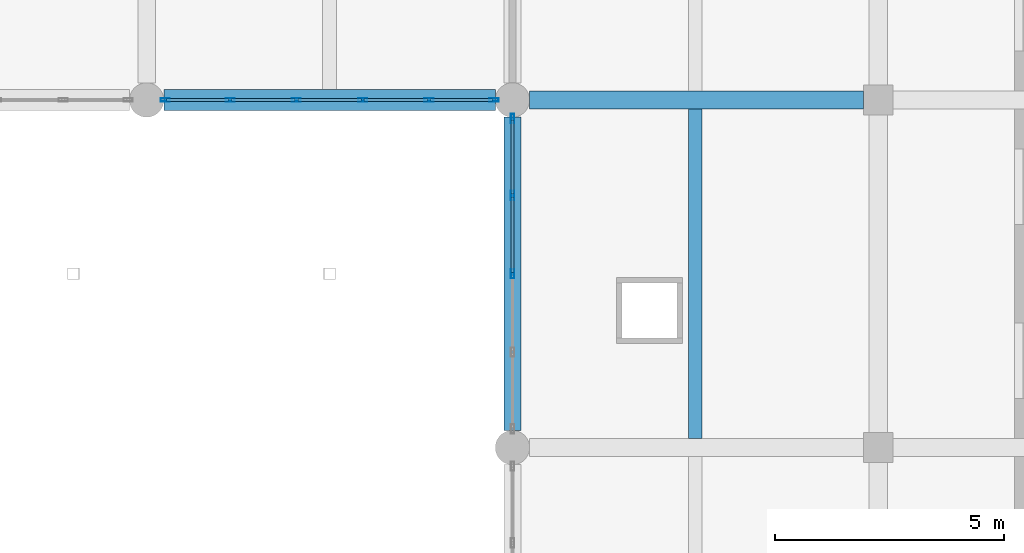
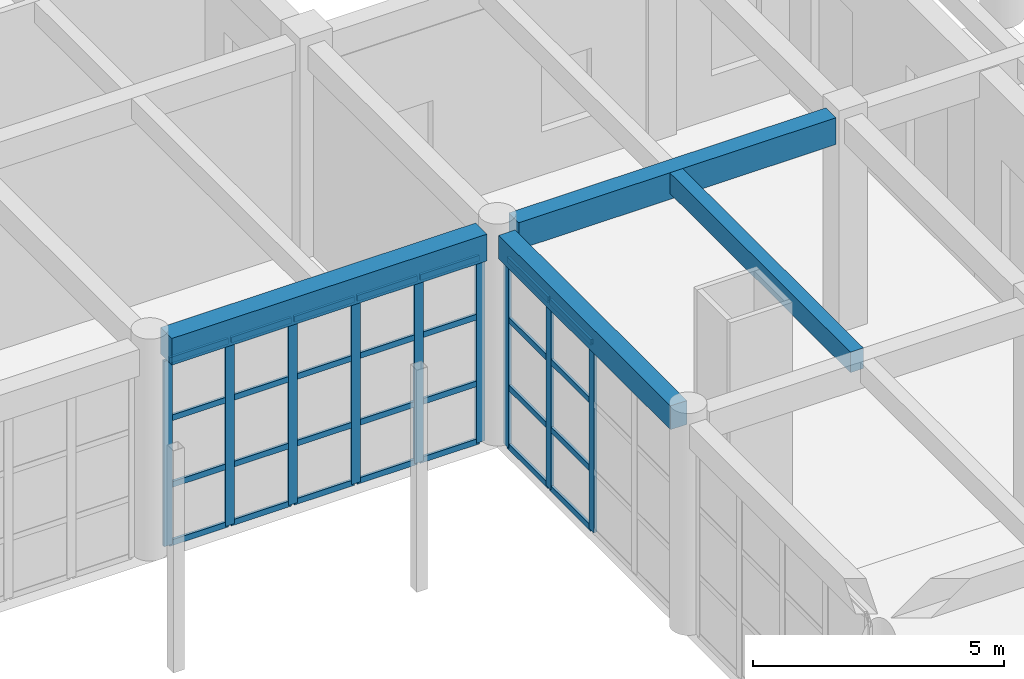
# One storey, part 56 of 95: 37 members, 4 beams, 2 elements without a shape of their own.
"""IFC4 building model written with IfcOpenShell, lengths in metres."""

from ifc_helpers import new_model, si_unit, direction, frame, origin, origin_2d, place, context, subcontext, project, spatial, rectangle, hollow_rectangle, extrude, material, material_profile, profile_set, type_object, element, aggregate, save


model = new_model("IFC4")

# Units and contexts
model_context = context("Model", 3, precision=1e-05, world=origin(), true_north=direction((0.0, 1.0)))
body_context = subcontext(model_context, "Body", "Model", "MODEL_VIEW")
ifc_project = project(units=[si_unit("LENGTHUNIT", "METRE"), si_unit("AREAUNIT", "SQUARE_METRE"), si_unit("VOLUMEUNIT", "CUBIC_METRE"), si_unit("PLANEANGLEUNIT", "RADIAN"), si_unit("MASSUNIT", "GRAM", prefix="KILO")], contexts=[model_context])

# Site, building, storey
site_placement = place(None, origin())
site = spatial("IfcSite", under=ifc_project, at=site_placement, CompositionType="ELEMENT")
building_placement = place(site_placement, origin())
building = spatial("IfcBuilding", under=site, at=building_placement, Name="Zantavel Square City Hall", CompositionType="ELEMENT")
storey_placement = place(building_placement, origin())
storey = spatial("IfcBuildingStorey", under=building, at=storey_placement, Name="L01", CompositionType="ELEMENT", Elevation=0.0)

# Beam
ifc_material_1 = material(Name="Concrete C35/45", Category="concrete")
ifc_material_profile_1 = material_profile(ifc_material_1, rectangle(XDim=0.3798828125, YDim=0.580078125, at=origin_2d()), Name="RC 380x580")
ifc_profile_set_1 = profile_set([ifc_material_profile_1], Name="Concrete C35/45")
beam_type_1 = type_object("IfcBeamType", Name="Annex Secondary Beam RC 380x580 C35/45", PredefinedType="BEAM", material=ifc_profile_set_1)
beam_1_placement = place(storey_placement, frame((152.0, 61.175048828125, 4.8701171875), z_axis=(0.0, 1.0, 0.0), x_axis=(-1.0, 0.0, 0.0)))
element("IfcBeam", 1, at=beam_1_placement, inside=storey, type_object=beam_type_1, Name="L01 Beam BMY-L01-1520-0608", PredefinedType="BEAM", context=body_context, shape_type="SweptSolid", body=[
    extrude(rectangle(XDim=0.3798828125, YDim=0.580078125, at=origin_2d()), origin(), (0.0, 0.0, 1.0), 6.849853515625),
])

# Curtain wall, members
ifc_material_2 = material(Name="Anodised aluminium 6063-T6", Category="aluminium")
curtain_wall_type_1 = type_object("IfcCurtainWallType", Name="Curtain Wall CRT 6850x4580", PredefinedType="USERDEFINED", material=ifc_material_2)
curtain_wall_1_placement = place(storey_placement, origin())
curtain_wall_1 = element("IfcCurtainWall", 2, at=curtain_wall_1_placement, inside=storey, type_object=curtain_wall_type_1, Name="L01 Glazed Curtain Wall CW-L01-034", ObjectType="GLAZED CURTAIN WALL", PredefinedType="USERDEFINED")
ifc_material_profile_2 = material_profile(ifc_material_2, hollow_rectangle(XDim=0.070068359375, YDim=0.199951171875, WallThickness=0.00439453125, at=origin_2d()), Name="ALU 70x200x4.5")
ifc_profile_set_2 = profile_set([ifc_material_profile_2], Name="Anodised aluminium 6063-T6")
member_type_1 = type_object("IfcMemberType", Name="CW Heavy Hall Mullion ALU 70x200x4.5", PredefinedType="MULLION", material=ifc_profile_set_2)
member_1_placement = place(storey_placement, frame((152.0, 64.60009765625, 0.0), z_axis=(0.0, 0.0, 1.0), x_axis=(-1.0, 0.0, 0.0)))
member_1 = element("IfcMember", 3, at=member_1_placement, type_object=member_type_1, Name="CW-034 mullion 3", PredefinedType="MULLION", context=body_context, shape_type="SweptSolid", body=[
    extrude(hollow_rectangle(XDim=0.070068359375, YDim=0.199951171875, WallThickness=0.00439453125, at=origin_2d()), origin(), (0.0, 0.0, 1.0), 4.580078125),
])
member_2_placement = place(storey_placement, frame((152.0, 66.3125, 0.0), z_axis=(0.0, 0.0, 1.0), x_axis=(-1.0, 0.0, 0.0)))
member_2 = element("IfcMember", 4, at=member_2_placement, type_object=member_type_1, Name="CW-034 mullion 4", PredefinedType="MULLION", context=body_context, shape_type="SweptSolid", body=[
    extrude(hollow_rectangle(XDim=0.070068359375, YDim=0.199951171875, WallThickness=0.00439453125, at=origin_2d()), origin(), (0.0, 0.0, 1.0), 4.580078125),
])
member_3_placement = place(storey_placement, frame((152.0, 67.9951171875, 0.0), z_axis=(0.0, 0.0, 1.0), x_axis=(-1.0, 0.0, 0.0)))
member_3 = element("IfcMember", 5, at=member_3_placement, type_object=member_type_1, Name="CW-034 mullion 5", PredefinedType="MULLION", context=body_context, shape_type="SweptSolid", body=[
    extrude(hollow_rectangle(XDim=0.070068359375, YDim=0.199951171875, WallThickness=0.00439453125, at=origin_2d()), origin(), (0.0, 0.0, 1.0), 4.580078125),
])

curtain_wall_type_2 = type_object("IfcCurtainWallType", Name="Curtain Wall CRT 7250x4510", PredefinedType="USERDEFINED", material=ifc_material_2)
curtain_wall_2_placement = place(storey_placement, origin())
curtain_wall_2 = element("IfcCurtainWall", 6, at=curtain_wall_2_placement, inside=storey, type_object=curtain_wall_type_2, Name="L01 Glazed Curtain Wall CW-L01-035", ObjectType="GLAZED CURTAIN WALL", PredefinedType="USERDEFINED")
member_4_placement = place(storey_placement, frame((151.594970703125, 68.39990234375, 0.0), z_axis=(0.0, 0.0, 1.0), x_axis=(0.0, -1.0, 0.0)))
member_4 = element("IfcMember", 7, at=member_4_placement, type_object=member_type_1, Name="CW-035 mullion 1", PredefinedType="MULLION", context=body_context, shape_type="SweptSolid", body=[
    extrude(hollow_rectangle(XDim=0.070068359375, YDim=0.199951171875, WallThickness=0.00439453125, at=origin_2d()), origin(), (0.0, 0.0, 1.0), 4.510009765625),
])
member_5_placement = place(storey_placement, frame((150.175048828125, 68.39990234375, 0.0), z_axis=(0.0, 0.0, 1.0), x_axis=(0.0, -1.0, 0.0)))
member_5 = element("IfcMember", 8, at=member_5_placement, type_object=member_type_1, Name="CW-035 mullion 2", PredefinedType="MULLION", context=body_context, shape_type="SweptSolid", body=[
    extrude(hollow_rectangle(XDim=0.070068359375, YDim=0.199951171875, WallThickness=0.00439453125, at=origin_2d()), origin(), (0.0, 0.0, 1.0), 4.510009765625),
])
member_6_placement = place(storey_placement, frame((148.72509765625, 68.39990234375, 0.0), z_axis=(0.0, 0.0, 1.0), x_axis=(0.0, -1.0, 0.0)))
member_6 = element("IfcMember", 9, at=member_6_placement, type_object=member_type_1, Name="CW-035 mullion 3", PredefinedType="MULLION", context=body_context, shape_type="SweptSolid", body=[
    extrude(hollow_rectangle(XDim=0.070068359375, YDim=0.199951171875, WallThickness=0.00439453125, at=origin_2d()), origin(), (0.0, 0.0, 1.0), 4.510009765625),
])
member_7_placement = place(storey_placement, frame((147.27490234375, 68.39990234375, 0.0), z_axis=(0.0, 0.0, 1.0), x_axis=(0.0, -1.0, 0.0)))
member_7 = element("IfcMember", 10, at=member_7_placement, type_object=member_type_1, Name="CW-035 mullion 4", PredefinedType="MULLION", context=body_context, shape_type="SweptSolid", body=[
    extrude(hollow_rectangle(XDim=0.070068359375, YDim=0.199951171875, WallThickness=0.00439453125, at=origin_2d()), origin(), (0.0, 0.0, 1.0), 4.510009765625),
])
member_8_placement = place(storey_placement, frame((145.824951171875, 68.39990234375, 0.0), z_axis=(0.0, 0.0, 1.0), x_axis=(0.0, -1.0, 0.0)))
member_8 = element("IfcMember", 11, at=member_8_placement, type_object=member_type_1, Name="CW-035 mullion 5", PredefinedType="MULLION", context=body_context, shape_type="SweptSolid", body=[
    extrude(hollow_rectangle(XDim=0.070068359375, YDim=0.199951171875, WallThickness=0.00439453125, at=origin_2d()), origin(), (0.0, 0.0, 1.0), 4.510009765625),
])
member_9_placement = place(storey_placement, frame((144.405029296875, 68.39990234375, 0.0), z_axis=(0.0, 0.0, 1.0), x_axis=(0.0, -1.0, 0.0)))
member_9 = element("IfcMember", 12, at=member_9_placement, type_object=member_type_1, Name="CW-035 mullion 6", PredefinedType="MULLION", context=body_context, shape_type="SweptSolid", body=[
    extrude(hollow_rectangle(XDim=0.070068359375, YDim=0.199951171875, WallThickness=0.00439453125, at=origin_2d()), origin(), (0.0, 0.0, 1.0), 4.510009765625),
])

# Member
ifc_material_profile_3 = material_profile(ifc_material_2, hollow_rectangle(XDim=0.06005859375, YDim=0.139892578125, WallThickness=0.00390625, at=origin_2d()), Name="ALU 60x140x4")
ifc_profile_set_3 = profile_set([ifc_material_profile_3], Name="Anodised aluminium 6063-T6")
member_type_2 = type_object("IfcMemberType", Name="CW Transom ALU 60x140x4", PredefinedType="USERDEFINED", material=ifc_profile_set_3)
member_10_placement = place(storey_placement, frame((152.0, 64.6298828125, 0.030029296875), z_axis=(0.0, 1.0, 0.0), x_axis=(-1.0, 0.0, 0.0)))
member_10 = element("IfcMember", 13, at=member_10_placement, type_object=member_type_2, Name="CW-034 transom 3.1", ObjectType="TRANSOM", PredefinedType="USERDEFINED", context=body_context, shape_type="SweptSolid", body=[
    extrude(hollow_rectangle(XDim=0.06005859375, YDim=0.139892578125, WallThickness=0.00390625, at=origin_2d()), origin(), (0.0, 0.0, 1.0), 1.652587890625),
])

member_11_placement = place(storey_placement, frame((152.0, 64.6298828125, 1.466064453125), z_axis=(0.0, 1.0, 0.0), x_axis=(-1.0, 0.0, 0.0)))
member_11 = element("IfcMember", 14, at=member_11_placement, type_object=member_type_2, Name="CW-034 transom 3.2", ObjectType="TRANSOM", PredefinedType="USERDEFINED", context=body_context, shape_type="SweptSolid", body=[
    extrude(hollow_rectangle(XDim=0.06005859375, YDim=0.139892578125, WallThickness=0.00390625, at=origin_2d()), origin(), (0.0, 0.0, 1.0), 1.652587890625),
])

member_12_placement = place(storey_placement, frame((152.0, 64.6298828125, 3.114013671875), z_axis=(0.0, 1.0, 0.0), x_axis=(-1.0, 0.0, 0.0)))
member_12 = element("IfcMember", 15, at=member_12_placement, type_object=member_type_2, Name="CW-034 transom 3.3", ObjectType="TRANSOM", PredefinedType="USERDEFINED", context=body_context, shape_type="SweptSolid", body=[
    extrude(hollow_rectangle(XDim=0.06005859375, YDim=0.139892578125, WallThickness=0.00390625, at=origin_2d()), origin(), (0.0, 0.0, 1.0), 1.652587890625),
])

member_13_placement = place(storey_placement, frame((152.0, 64.6298828125, 4.550048828125), z_axis=(0.0, 1.0, 0.0), x_axis=(-1.0, 0.0, 0.0)))
member_13 = element("IfcMember", 16, at=member_13_placement, type_object=member_type_2, Name="CW-034 transom 3.4", ObjectType="TRANSOM", PredefinedType="USERDEFINED", context=body_context, shape_type="SweptSolid", body=[
    extrude(hollow_rectangle(XDim=0.06005859375, YDim=0.139892578125, WallThickness=0.00390625, at=origin_2d()), origin(), (0.0, 0.0, 1.0), 1.652587890625),
])

member_14_placement = place(storey_placement, frame((152.0, 66.342529296875, 0.030029296875), z_axis=(0.0, 1.0, 0.0), x_axis=(-1.0, 0.0, 0.0)))
member_14 = element("IfcMember", 17, at=member_14_placement, type_object=member_type_2, Name="CW-034 transom 4.1", ObjectType="TRANSOM", PredefinedType="USERDEFINED", context=body_context, shape_type="SweptSolid", body=[
    extrude(hollow_rectangle(XDim=0.06005859375, YDim=0.139892578125, WallThickness=0.00390625, at=origin_2d()), origin(), (0.0, 0.0, 1.0), 1.62255859375),
])

member_15_placement = place(storey_placement, frame((152.0, 66.342529296875, 1.466064453125), z_axis=(0.0, 1.0, 0.0), x_axis=(-1.0, 0.0, 0.0)))
member_15 = element("IfcMember", 18, at=member_15_placement, type_object=member_type_2, Name="CW-034 transom 4.2", ObjectType="TRANSOM", PredefinedType="USERDEFINED", context=body_context, shape_type="SweptSolid", body=[
    extrude(hollow_rectangle(XDim=0.06005859375, YDim=0.139892578125, WallThickness=0.00390625, at=origin_2d()), origin(), (0.0, 0.0, 1.0), 1.62255859375),
])

member_16_placement = place(storey_placement, frame((152.0, 66.342529296875, 3.114013671875), z_axis=(0.0, 1.0, 0.0), x_axis=(-1.0, 0.0, 0.0)))
member_16 = element("IfcMember", 19, at=member_16_placement, type_object=member_type_2, Name="CW-034 transom 4.3", ObjectType="TRANSOM", PredefinedType="USERDEFINED", context=body_context, shape_type="SweptSolid", body=[
    extrude(hollow_rectangle(XDim=0.06005859375, YDim=0.139892578125, WallThickness=0.00390625, at=origin_2d()), origin(), (0.0, 0.0, 1.0), 1.62255859375),
])

member_17_placement = place(storey_placement, frame((152.0, 66.342529296875, 4.550048828125), z_axis=(0.0, 1.0, 0.0), x_axis=(-1.0, 0.0, 0.0)))
member_17 = element("IfcMember", 20, at=member_17_placement, type_object=member_type_2, Name="CW-034 transom 4.4", ObjectType="TRANSOM", PredefinedType="USERDEFINED", context=body_context, shape_type="SweptSolid", body=[
    extrude(hollow_rectangle(XDim=0.06005859375, YDim=0.139892578125, WallThickness=0.00390625, at=origin_2d()), origin(), (0.0, 0.0, 1.0), 1.62255859375),
])

aggregate(curtain_wall_1, [member_1, member_2, member_3, member_10, member_11, member_12, member_13, member_14, member_15, member_16, member_17])

member_18_placement = place(storey_placement, frame((151.56494140625, 68.39990234375, 0.030029296875), z_axis=(-1.0, 0.0, 0.0), x_axis=(0.0, -1.0, 0.0)))
member_18 = element("IfcMember", 21, at=member_18_placement, type_object=member_type_2, Name="CW-035 transom 1.1", ObjectType="TRANSOM", PredefinedType="USERDEFINED", context=body_context, shape_type="SweptSolid", body=[
    extrude(hollow_rectangle(XDim=0.06005859375, YDim=0.139892578125, WallThickness=0.00390625, at=origin_2d()), origin(), (0.0, 0.0, 1.0), 1.35986328125),
])

member_19_placement = place(storey_placement, frame((151.56494140625, 68.39990234375, 1.443115234375), z_axis=(-1.0, 0.0, 0.0), x_axis=(0.0, -1.0, 0.0)))
member_19 = element("IfcMember", 22, at=member_19_placement, type_object=member_type_2, Name="CW-035 transom 1.2", ObjectType="TRANSOM", PredefinedType="USERDEFINED", context=body_context, shape_type="SweptSolid", body=[
    extrude(hollow_rectangle(XDim=0.06005859375, YDim=0.139892578125, WallThickness=0.00390625, at=origin_2d()), origin(), (0.0, 0.0, 1.0), 1.35986328125),
])

member_20_placement = place(storey_placement, frame((151.56494140625, 68.39990234375, 3.06689453125), z_axis=(-1.0, 0.0, 0.0), x_axis=(0.0, -1.0, 0.0)))
member_20 = element("IfcMember", 23, at=member_20_placement, type_object=member_type_2, Name="CW-035 transom 1.3", ObjectType="TRANSOM", PredefinedType="USERDEFINED", context=body_context, shape_type="SweptSolid", body=[
    extrude(hollow_rectangle(XDim=0.06005859375, YDim=0.139892578125, WallThickness=0.00390625, at=origin_2d()), origin(), (0.0, 0.0, 1.0), 1.35986328125),
])

member_21_placement = place(storey_placement, frame((151.56494140625, 68.39990234375, 4.47998046875), z_axis=(-1.0, 0.0, 0.0), x_axis=(0.0, -1.0, 0.0)))
member_21 = element("IfcMember", 24, at=member_21_placement, type_object=member_type_2, Name="CW-035 transom 1.4", ObjectType="TRANSOM", PredefinedType="USERDEFINED", context=body_context, shape_type="SweptSolid", body=[
    extrude(hollow_rectangle(XDim=0.06005859375, YDim=0.139892578125, WallThickness=0.00390625, at=origin_2d()), origin(), (0.0, 0.0, 1.0), 1.35986328125),
])

member_22_placement = place(storey_placement, frame((150.14501953125, 68.39990234375, 0.030029296875), z_axis=(-1.0, 0.0, 0.0), x_axis=(0.0, -1.0, 0.0)))
member_22 = element("IfcMember", 25, at=member_22_placement, type_object=member_type_2, Name="CW-035 transom 2.1", ObjectType="TRANSOM", PredefinedType="USERDEFINED", context=body_context, shape_type="SweptSolid", body=[
    extrude(hollow_rectangle(XDim=0.06005859375, YDim=0.139892578125, WallThickness=0.00390625, at=origin_2d()), origin(), (0.0, 0.0, 1.0), 1.39013671875),
])

member_23_placement = place(storey_placement, frame((150.14501953125, 68.39990234375, 1.443115234375), z_axis=(-1.0, 0.0, 0.0), x_axis=(0.0, -1.0, 0.0)))
member_23 = element("IfcMember", 26, at=member_23_placement, type_object=member_type_2, Name="CW-035 transom 2.2", ObjectType="TRANSOM", PredefinedType="USERDEFINED", context=body_context, shape_type="SweptSolid", body=[
    extrude(hollow_rectangle(XDim=0.06005859375, YDim=0.139892578125, WallThickness=0.00390625, at=origin_2d()), origin(), (0.0, 0.0, 1.0), 1.39013671875),
])

member_24_placement = place(storey_placement, frame((150.14501953125, 68.39990234375, 3.06689453125), z_axis=(-1.0, 0.0, 0.0), x_axis=(0.0, -1.0, 0.0)))
member_24 = element("IfcMember", 27, at=member_24_placement, type_object=member_type_2, Name="CW-035 transom 2.3", ObjectType="TRANSOM", PredefinedType="USERDEFINED", context=body_context, shape_type="SweptSolid", body=[
    extrude(hollow_rectangle(XDim=0.06005859375, YDim=0.139892578125, WallThickness=0.00390625, at=origin_2d()), origin(), (0.0, 0.0, 1.0), 1.39013671875),
])

member_25_placement = place(storey_placement, frame((150.14501953125, 68.39990234375, 4.47998046875), z_axis=(-1.0, 0.0, 0.0), x_axis=(0.0, -1.0, 0.0)))
member_25 = element("IfcMember", 28, at=member_25_placement, type_object=member_type_2, Name="CW-035 transom 2.4", ObjectType="TRANSOM", PredefinedType="USERDEFINED", context=body_context, shape_type="SweptSolid", body=[
    extrude(hollow_rectangle(XDim=0.06005859375, YDim=0.139892578125, WallThickness=0.00390625, at=origin_2d()), origin(), (0.0, 0.0, 1.0), 1.39013671875),
])

member_26_placement = place(storey_placement, frame((148.695068359375, 68.39990234375, 0.030029296875), z_axis=(-1.0, 0.0, 0.0), x_axis=(0.0, -1.0, 0.0)))
member_26 = element("IfcMember", 29, at=member_26_placement, type_object=member_type_2, Name="CW-035 transom 3.1", ObjectType="TRANSOM", PredefinedType="USERDEFINED", context=body_context, shape_type="SweptSolid", body=[
    extrude(hollow_rectangle(XDim=0.06005859375, YDim=0.139892578125, WallThickness=0.00390625, at=origin_2d()), origin(), (0.0, 0.0, 1.0), 1.39013671875),
])

member_27_placement = place(storey_placement, frame((148.695068359375, 68.39990234375, 1.443115234375), z_axis=(-1.0, 0.0, 0.0), x_axis=(0.0, -1.0, 0.0)))
member_27 = element("IfcMember", 30, at=member_27_placement, type_object=member_type_2, Name="CW-035 transom 3.2", ObjectType="TRANSOM", PredefinedType="USERDEFINED", context=body_context, shape_type="SweptSolid", body=[
    extrude(hollow_rectangle(XDim=0.06005859375, YDim=0.139892578125, WallThickness=0.00390625, at=origin_2d()), origin(), (0.0, 0.0, 1.0), 1.39013671875),
])

member_28_placement = place(storey_placement, frame((148.695068359375, 68.39990234375, 3.06689453125), z_axis=(-1.0, 0.0, 0.0), x_axis=(0.0, -1.0, 0.0)))
member_28 = element("IfcMember", 31, at=member_28_placement, type_object=member_type_2, Name="CW-035 transom 3.3", ObjectType="TRANSOM", PredefinedType="USERDEFINED", context=body_context, shape_type="SweptSolid", body=[
    extrude(hollow_rectangle(XDim=0.06005859375, YDim=0.139892578125, WallThickness=0.00390625, at=origin_2d()), origin(), (0.0, 0.0, 1.0), 1.39013671875),
])

member_29_placement = place(storey_placement, frame((148.695068359375, 68.39990234375, 4.47998046875), z_axis=(-1.0, 0.0, 0.0), x_axis=(0.0, -1.0, 0.0)))
member_29 = element("IfcMember", 32, at=member_29_placement, type_object=member_type_2, Name="CW-035 transom 3.4", ObjectType="TRANSOM", PredefinedType="USERDEFINED", context=body_context, shape_type="SweptSolid", body=[
    extrude(hollow_rectangle(XDim=0.06005859375, YDim=0.139892578125, WallThickness=0.00390625, at=origin_2d()), origin(), (0.0, 0.0, 1.0), 1.39013671875),
])

member_30_placement = place(storey_placement, frame((147.2451171875, 68.39990234375, 0.030029296875), z_axis=(-1.0, 0.0, 0.0), x_axis=(0.0, -1.0, 0.0)))
member_30 = element("IfcMember", 33, at=member_30_placement, type_object=member_type_2, Name="CW-035 transom 4.1", ObjectType="TRANSOM", PredefinedType="USERDEFINED", context=body_context, shape_type="SweptSolid", body=[
    extrude(hollow_rectangle(XDim=0.06005859375, YDim=0.139892578125, WallThickness=0.00390625, at=origin_2d()), origin(), (0.0, 0.0, 1.0), 1.39013671875),
])

member_31_placement = place(storey_placement, frame((147.2451171875, 68.39990234375, 1.443115234375), z_axis=(-1.0, 0.0, 0.0), x_axis=(0.0, -1.0, 0.0)))
member_31 = element("IfcMember", 34, at=member_31_placement, type_object=member_type_2, Name="CW-035 transom 4.2", ObjectType="TRANSOM", PredefinedType="USERDEFINED", context=body_context, shape_type="SweptSolid", body=[
    extrude(hollow_rectangle(XDim=0.06005859375, YDim=0.139892578125, WallThickness=0.00390625, at=origin_2d()), origin(), (0.0, 0.0, 1.0), 1.39013671875),
])

member_32_placement = place(storey_placement, frame((147.2451171875, 68.39990234375, 3.06689453125), z_axis=(-1.0, 0.0, 0.0), x_axis=(0.0, -1.0, 0.0)))
member_32 = element("IfcMember", 35, at=member_32_placement, type_object=member_type_2, Name="CW-035 transom 4.3", ObjectType="TRANSOM", PredefinedType="USERDEFINED", context=body_context, shape_type="SweptSolid", body=[
    extrude(hollow_rectangle(XDim=0.06005859375, YDim=0.139892578125, WallThickness=0.00390625, at=origin_2d()), origin(), (0.0, 0.0, 1.0), 1.39013671875),
])

member_33_placement = place(storey_placement, frame((147.2451171875, 68.39990234375, 4.47998046875), z_axis=(-1.0, 0.0, 0.0), x_axis=(0.0, -1.0, 0.0)))
member_33 = element("IfcMember", 36, at=member_33_placement, type_object=member_type_2, Name="CW-035 transom 4.4", ObjectType="TRANSOM", PredefinedType="USERDEFINED", context=body_context, shape_type="SweptSolid", body=[
    extrude(hollow_rectangle(XDim=0.06005859375, YDim=0.139892578125, WallThickness=0.00390625, at=origin_2d()), origin(), (0.0, 0.0, 1.0), 1.39013671875),
])

member_34_placement = place(storey_placement, frame((145.794921875, 68.39990234375, 0.030029296875), z_axis=(-1.0, 0.0, 0.0), x_axis=(0.0, -1.0, 0.0)))
member_34 = element("IfcMember", 37, at=member_34_placement, type_object=member_type_2, Name="CW-035 transom 5.1", ObjectType="TRANSOM", PredefinedType="USERDEFINED", context=body_context, shape_type="SweptSolid", body=[
    extrude(hollow_rectangle(XDim=0.06005859375, YDim=0.139892578125, WallThickness=0.00390625, at=origin_2d()), origin(), (0.0, 0.0, 1.0), 1.35986328125),
])

member_35_placement = place(storey_placement, frame((145.794921875, 68.39990234375, 1.443115234375), z_axis=(-1.0, 0.0, 0.0), x_axis=(0.0, -1.0, 0.0)))
member_35 = element("IfcMember", 38, at=member_35_placement, type_object=member_type_2, Name="CW-035 transom 5.2", ObjectType="TRANSOM", PredefinedType="USERDEFINED", context=body_context, shape_type="SweptSolid", body=[
    extrude(hollow_rectangle(XDim=0.06005859375, YDim=0.139892578125, WallThickness=0.00390625, at=origin_2d()), origin(), (0.0, 0.0, 1.0), 1.35986328125),
])

member_36_placement = place(storey_placement, frame((145.794921875, 68.39990234375, 3.06689453125), z_axis=(-1.0, 0.0, 0.0), x_axis=(0.0, -1.0, 0.0)))
member_36 = element("IfcMember", 39, at=member_36_placement, type_object=member_type_2, Name="CW-035 transom 5.3", ObjectType="TRANSOM", PredefinedType="USERDEFINED", context=body_context, shape_type="SweptSolid", body=[
    extrude(hollow_rectangle(XDim=0.06005859375, YDim=0.139892578125, WallThickness=0.00390625, at=origin_2d()), origin(), (0.0, 0.0, 1.0), 1.35986328125),
])

member_37_placement = place(storey_placement, frame((145.794921875, 68.39990234375, 4.47998046875), z_axis=(-1.0, 0.0, 0.0), x_axis=(0.0, -1.0, 0.0)))
member_37 = element("IfcMember", 40, at=member_37_placement, type_object=member_type_2, Name="CW-035 transom 5.4", ObjectType="TRANSOM", PredefinedType="USERDEFINED", context=body_context, shape_type="SweptSolid", body=[
    extrude(hollow_rectangle(XDim=0.06005859375, YDim=0.139892578125, WallThickness=0.00390625, at=origin_2d()), origin(), (0.0, 0.0, 1.0), 1.35986328125),
])

aggregate(curtain_wall_2, [member_4, member_5, member_6, member_7, member_8, member_9, member_18, member_19, member_20, member_21, member_22, member_23, member_24, member_25, member_26, member_27, member_28, member_29, member_30, member_31, member_32, member_33, member_34, member_35, member_36, member_37])

# Beams
ifc_material_profile_4 = material_profile(ifc_material_1, rectangle(XDim=0.449951171875, YDim=0.64990234375, at=origin_2d()), Name="RC 450x650")
ifc_profile_set_4 = profile_set([ifc_material_profile_4], Name="Concrete C35/45")
beam_type_2 = type_object("IfcBeamType", Name="Courtyard Cloister Girder RC 450x650 C35/45", PredefinedType="BEAM", material=ifc_profile_set_4)
beam_2_placement = place(storey_placement, frame((144.375, 68.39990234375, 4.8349609375), z_axis=(1.0, 0.0, 0.0), x_axis=(0.0, 1.0, 0.0)))
element("IfcBeam", 41, at=beam_2_placement, inside=storey, type_object=beam_type_2, Name="L01 Girder BMX-L01-1440-0684", PredefinedType="BEAM", context=body_context, shape_type="SweptSolid", body=[
    extrude(rectangle(XDim=0.449951171875, YDim=0.64990234375, at=origin_2d()), origin(), (0.0, 0.0, 1.0), 7.25),
])
ifc_material_profile_5 = material_profile(ifc_material_1, rectangle(XDim=0.300048828125, YDim=0.5, at=origin_2d()), Name="RC 300x500")
ifc_profile_set_5 = profile_set([ifc_material_profile_5], Name="Concrete C35/45")
beam_type_3 = type_object("IfcBeamType", Name="Floor Joist RC 300x500 C35/45", PredefinedType="JOIST", material=ifc_profile_set_5)
beam_3_placement = place(storey_placement, frame((156.0, 61.0, 4.909912109375), z_axis=(0.0, 1.0, 0.0), x_axis=(-1.0, 0.0, 0.0)))
element("IfcBeam", 42, at=beam_3_placement, inside=storey, type_object=beam_type_3, Name="L01 Floor Joist JST-L01-1560-0608", PredefinedType="JOIST", context=body_context, shape_type="SweptSolid", body=[
    extrude(rectangle(XDim=0.300048828125, YDim=0.5, at=origin_2d()), origin(), (0.0, 0.0, 1.0), 7.199951171875),
])
ifc_material_profile_6 = material_profile(ifc_material_1, rectangle(XDim=0.39990234375, YDim=0.64990234375, at=origin_2d()), Name="RC 400x650")
ifc_profile_set_6 = profile_set([ifc_material_profile_6], Name="Concrete C35/45")
beam_type_4 = type_object("IfcBeamType", Name="Frame Beam RC 400x650 C35/45", PredefinedType="BEAM", material=ifc_profile_set_6)
beam_4_placement = place(storey_placement, frame((152.375, 68.39990234375, 4.8349609375), z_axis=(1.0, 0.0, 0.0), x_axis=(0.0, 1.0, 0.0)))
element("IfcBeam", 43, at=beam_4_placement, inside=storey, type_object=beam_type_4, Name="L01 Girder BMX-L01-1520-0684", PredefinedType="BEAM", context=body_context, shape_type="SweptSolid", body=[
    extrude(rectangle(XDim=0.39990234375, YDim=0.64990234375, at=origin_2d()), origin(), (0.0, 0.0, 1.0), 7.300048828125),
])

save(model, "model.ifc")
